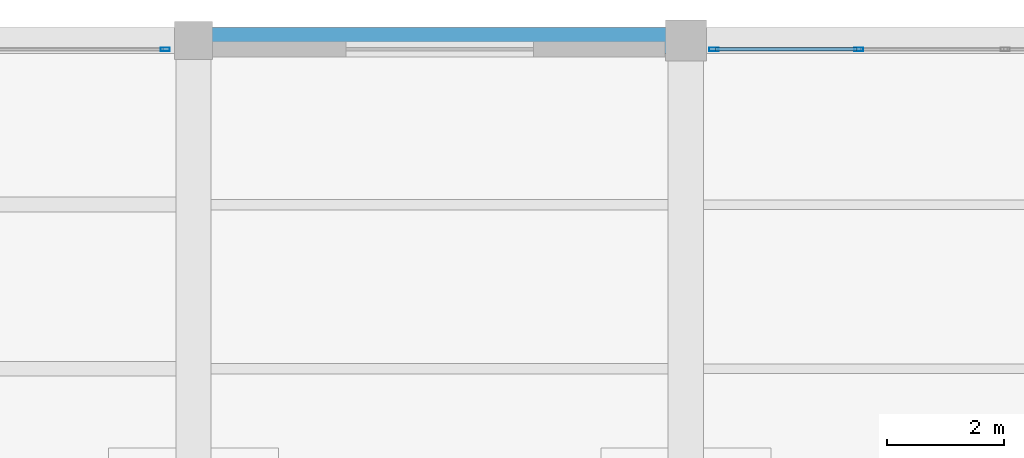
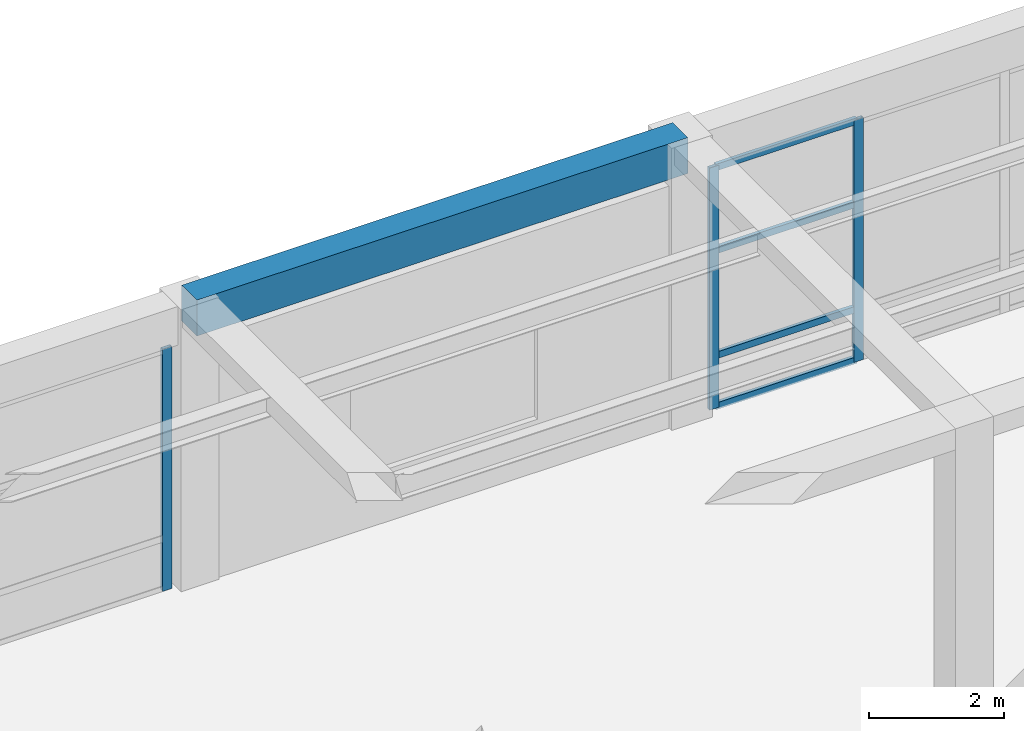
# One storey, part 63 of 95: 7 members, 1 beam, 2 elements without a shape of their own.
"""IFC4 building model written with IfcOpenShell, lengths in metres."""

from ifc_helpers import new_model, si_unit, direction, frame, origin, origin_2d, place, context, subcontext, project, spatial, rectangle, hollow_rectangle, extrude, material, material_profile, profile_set, type_object, element, aggregate, save


model = new_model("IFC4")

# Units and contexts
model_context = context("Model", 3, precision=1e-05, world=origin(), true_north=direction((0.0, 1.0)))
body_context = subcontext(model_context, "Body", "Model", "MODEL_VIEW")
ifc_project = project(units=[si_unit("LENGTHUNIT", "METRE"), si_unit("AREAUNIT", "SQUARE_METRE"), si_unit("VOLUMEUNIT", "CUBIC_METRE"), si_unit("PLANEANGLEUNIT", "RADIAN"), si_unit("MASSUNIT", "GRAM", prefix="KILO")], contexts=[model_context])

# Site, building, storey
site_placement = place(None, origin())
site = spatial("IfcSite", under=ifc_project, at=site_placement, CompositionType="ELEMENT")
building_placement = place(site_placement, origin())
building = spatial("IfcBuilding", under=site, at=building_placement, Name="Almacenes y Pasaje Nevantli", CompositionType="ELEMENT")
storey_placement = place(building_placement, frame((0.0, 0.0, 11.39990234375)))
storey = spatial("IfcBuildingStorey", under=building, at=storey_placement, Name="L03", CompositionType="ELEMENT", Elevation=11.39990234375)

# Beam
ifc_material_1 = material(Name="Concrete C35/45", Category="concrete")
ifc_material_profile_1 = material_profile(ifc_material_1, rectangle(XDim=0.449951171875, YDim=0.64990234375, at=origin_2d()), Name="RC-BM-450x650")
ifc_profile_set_1 = profile_set([ifc_material_profile_1], Name="Concrete C35/45")
beam_type = type_object("IfcBeamType", Name="BM-RC-450x650", PredefinedType="SPANDREL", material=ifc_profile_set_1)
beam_placement = place(storey_placement, frame((142.800048828125, 117.60009765625, 4.775146484375), z_axis=(1.0, 0.0, 0.0), x_axis=(0.0, 1.0, 0.0)))
element("IfcBeam", 1, at=beam_placement, inside=storey, type_object=beam_type, Name="L03 East-West Reinforced Concrete Beam #2477", PredefinedType="SPANDREL", context=body_context, shape_type="SweptSolid", body=[
    extrude(rectangle(XDim=0.449951171875, YDim=0.64990234375, at=origin_2d()), origin(), (0.0, 0.0, 1.0), 8.39990234375),
])

# Curtain wall, member
ifc_material_2 = material(Name="Thermally Broken Aluminium and Low-E Glass", Category="aluminium")
curtain_wall_type = type_object("IfcCurtainWallType", Name="CW-STF-BLVD", PredefinedType="USERDEFINED", material=ifc_material_2)
curtain_wall_1_placement = place(storey_placement, origin())
curtain_wall_1 = element("IfcCurtainWall", 2, at=curtain_wall_1_placement, inside=storey, type_object=curtain_wall_type, Name="L03 North Boulevard Retail Curtain Wall Bay 17", ObjectType="STOREFRONT GLAZING", PredefinedType="USERDEFINED")
ifc_material_3 = material(Name="Thermally Broken Anodized Aluminium", Category="aluminium")
ifc_material_profile_2 = material_profile(ifc_material_3, hollow_rectangle(XDim=0.06005859375, YDim=0.159912109375, WallThickness=0.00390625, at=origin_2d()), Name="ALU-MUL-60x160")
ifc_profile_set_2 = profile_set([ifc_material_profile_2], Name="Thermally Broken Anodized Aluminium")
member_type_1 = type_object("IfcMemberType", Name="CW-MUL-180", PredefinedType="MULLION", material=ifc_profile_set_2)
member_1_placement = place(storey_placement, frame((142.320068359375, 117.449951171875, 0.0), z_axis=(0.0, 0.0, 1.0), x_axis=(0.0, 1.0, 0.0)))
member_1 = element("IfcMember", 3, at=member_1_placement, type_object=member_type_1, Name="CW-L03-043 mullion 3", PredefinedType="MULLION", context=body_context, shape_type="SweptSolid", body=[
    extrude(hollow_rectangle(XDim=0.06005859375, YDim=0.159912109375, WallThickness=0.00390625, at=origin_2d()), origin(), (0.0, 0.0, 1.0), 4.380126953125),
])
aggregate(curtain_wall_1, [member_1])

# Curtain wall, members
curtain_wall_2_placement = place(storey_placement, origin())
curtain_wall_2 = element("IfcCurtainWall", 4, at=curtain_wall_2_placement, inside=storey, type_object=curtain_wall_type, Name="L03 North Boulevard Retail Curtain Wall Bay 19", ObjectType="STOREFRONT GLAZING", PredefinedType="USERDEFINED")
member_2_placement = place(storey_placement, frame((151.679931640625, 117.449951171875, 0.0), z_axis=(0.0, 0.0, 1.0), x_axis=(0.0, 1.0, 0.0)))
member_2 = element("IfcMember", 5, at=member_2_placement, type_object=member_type_1, Name="CW-L03-044 mullion 1", PredefinedType="MULLION", context=body_context, shape_type="SweptSolid", body=[
    extrude(hollow_rectangle(XDim=0.06005859375, YDim=0.159912109375, WallThickness=0.00390625, at=origin_2d()), origin(), (0.0, 0.0, 1.0), 4.380126953125),
])
member_3_placement = place(storey_placement, frame((154.14990234375, 117.449951171875, 0.0), z_axis=(0.0, 0.0, 1.0), x_axis=(0.0, 1.0, 0.0)))
member_3 = element("IfcMember", 6, at=member_3_placement, type_object=member_type_1, Name="CW-L03-044 mullion 2", PredefinedType="MULLION", context=body_context, shape_type="SweptSolid", body=[
    extrude(hollow_rectangle(XDim=0.06005859375, YDim=0.159912109375, WallThickness=0.00390625, at=origin_2d()), origin(), (0.0, 0.0, 1.0), 4.380126953125),
])
ifc_material_4 = material(Name="Thermally Broken Anodized Aluminium", Category="aluminium")
ifc_material_profile_3 = material_profile(ifc_material_4, hollow_rectangle(XDim=0.06005859375, YDim=0.1201171875, WallThickness=0.00341796875, at=origin_2d()), Name="ALU-TRN-60x120")
ifc_profile_set_3 = profile_set([ifc_material_profile_3], Name="Thermally Broken Anodized Aluminium")
member_type_2 = type_object("IfcMemberType", Name="CW-TRN-130", PredefinedType="USERDEFINED", material=ifc_profile_set_3)
member_4_placement = place(storey_placement, frame((151.7099609375, 117.449951171875, 0.030029296875), z_axis=(1.0, 0.0, 0.0), x_axis=(0.0, 1.0, 0.0)))
member_4 = element("IfcMember", 7, at=member_4_placement, type_object=member_type_2, Name="CW-L03-044 transom 1.1", ObjectType="TRANSOM", PredefinedType="USERDEFINED", context=body_context, shape_type="SweptSolid", body=[
    extrude(hollow_rectangle(XDim=0.06005859375, YDim=0.1201171875, WallThickness=0.00341796875, at=origin_2d()), origin(), (0.0, 0.0, 1.0), 2.41015625),
])
member_5_placement = place(storey_placement, frame((151.7099609375, 117.449951171875, 0.9501953125), z_axis=(1.0, 0.0, 0.0), x_axis=(0.0, 1.0, 0.0)))
member_5 = element("IfcMember", 8, at=member_5_placement, type_object=member_type_2, Name="CW-L03-044 transom 1.2", ObjectType="TRANSOM", PredefinedType="USERDEFINED", context=body_context, shape_type="SweptSolid", body=[
    extrude(hollow_rectangle(XDim=0.06005859375, YDim=0.1201171875, WallThickness=0.00341796875, at=origin_2d()), origin(), (0.0, 0.0, 1.0), 2.41015625),
])
member_6_placement = place(storey_placement, frame((151.7099609375, 117.449951171875, 2.85009765625), z_axis=(1.0, 0.0, 0.0), x_axis=(0.0, 1.0, 0.0)))
member_6 = element("IfcMember", 9, at=member_6_placement, type_object=member_type_2, Name="CW-L03-044 transom 1.3", ObjectType="TRANSOM", PredefinedType="USERDEFINED", context=body_context, shape_type="SweptSolid", body=[
    extrude(hollow_rectangle(XDim=0.06005859375, YDim=0.1201171875, WallThickness=0.00341796875, at=origin_2d()), origin(), (0.0, 0.0, 1.0), 2.41015625),
])
member_7_placement = place(storey_placement, frame((151.7099609375, 117.449951171875, 4.35009765625), z_axis=(1.0, 0.0, 0.0), x_axis=(0.0, 1.0, 0.0)))
member_7 = element("IfcMember", 10, at=member_7_placement, type_object=member_type_2, Name="CW-L03-044 transom 1.4", ObjectType="TRANSOM", PredefinedType="USERDEFINED", context=body_context, shape_type="SweptSolid", body=[
    extrude(hollow_rectangle(XDim=0.06005859375, YDim=0.1201171875, WallThickness=0.00341796875, at=origin_2d()), origin(), (0.0, 0.0, 1.0), 2.41015625),
])
aggregate(curtain_wall_2, [member_2, member_3, member_4, member_5, member_6, member_7])

save(model, "model.ifc")
